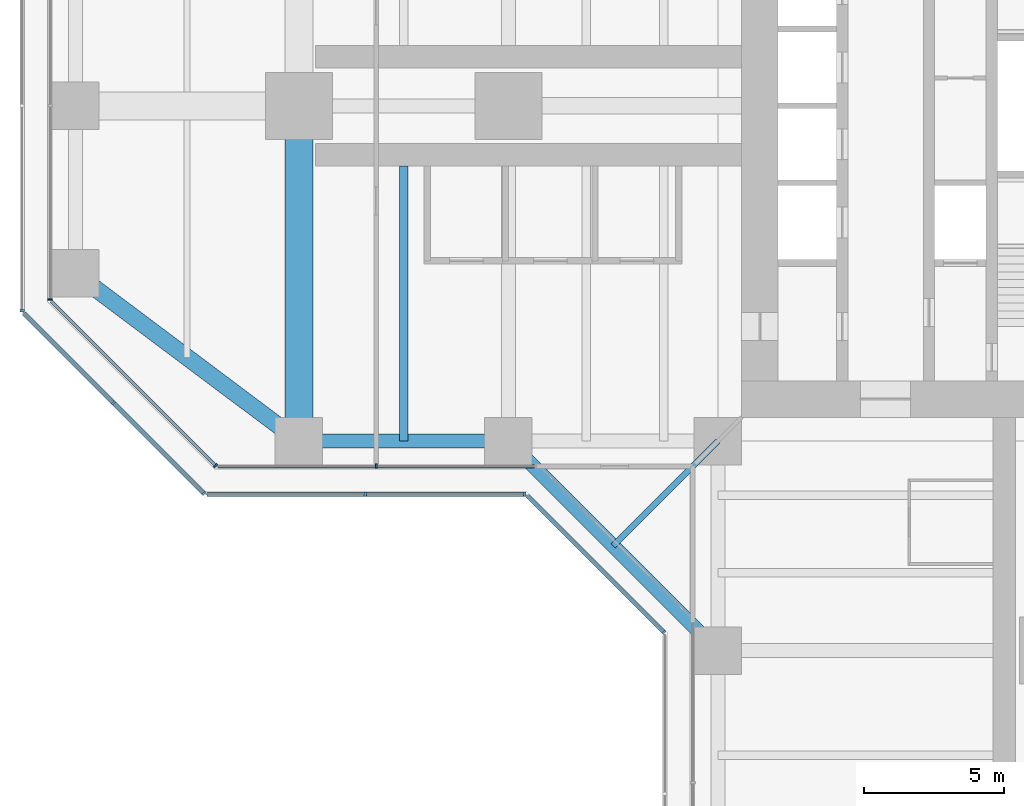
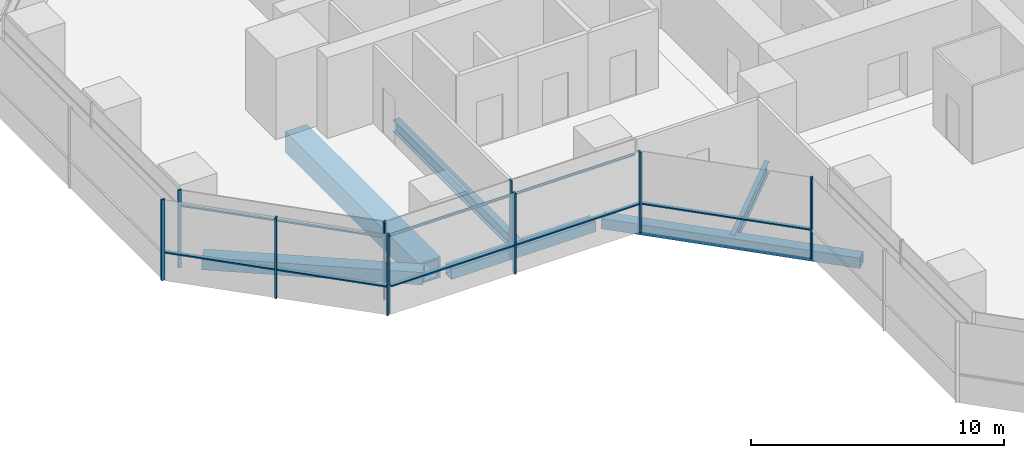
# One storey, part 3 of 22: 17 members, 6 beams, 7 elements without a shape of their own.
"""IFC4 building model written with IfcOpenShell, lengths in metres."""

from ifc_helpers import new_model, si_unit, direction, frame, origin, origin_2d, place, context, subcontext, project, spatial, rectangle, hollow_rectangle, i_section, extrude, material, material_profile, profile_set, type_object, element, aggregate, save


model = new_model("IFC4")

# Units and contexts
model_context = context("Model", 3, precision=1e-05, world=origin(), true_north=direction((0.0, 1.0)))
body_context = subcontext(model_context, "Body", "Model", "MODEL_VIEW")
ifc_project = project(units=[si_unit("LENGTHUNIT", "METRE"), si_unit("AREAUNIT", "SQUARE_METRE"), si_unit("VOLUMEUNIT", "CUBIC_METRE"), si_unit("PLANEANGLEUNIT", "RADIAN"), si_unit("MASSUNIT", "GRAM", prefix="KILO")], contexts=[model_context])

# Site, building, storey
site_placement = place(None, origin())
site = spatial("IfcSite", under=ifc_project, at=site_placement, CompositionType="ELEMENT")
building_placement = place(site_placement, origin())
building = spatial("IfcBuilding", under=site, at=building_placement, Name="Mizan Broadcast Tower", CompositionType="ELEMENT")
storey_placement = place(building_placement, frame((0.0, 0.0, 51.300048828125)))
storey = spatial("IfcBuildingStorey", under=building, at=storey_placement, Name="L09", CompositionType="ELEMENT", Elevation=51.300048828125)

# Beams
ifc_material_1 = material(Name="Steel S355", Category="steel")
ifc_material_profile_1 = material_profile(ifc_material_1, hollow_rectangle(XDim=0.5, YDim=0.5, WallThickness=0.030029296875, at=origin_2d()), Name="BOX 500x500x30")
ifc_profile_set_1 = profile_set([ifc_material_profile_1], Name="Steel S355")
beam_type_1 = type_object("IfcBeamType", Name="EDGE BEAM BOX 500x500x30", PredefinedType="SPANDREL", material=ifc_profile_set_1)
beam_1_placement = place(storey_placement, frame((-19.949951171875, -12.0, -0.380126953125), z_axis=(-1.0, 0.0, 0.0), x_axis=(0.0, -1.0, 0.0)))
element("IfcBeam", 1, at=beam_1_placement, inside=storey, type_object=beam_type_1, Name="Edge beam BOX 500x500x30 L09 west arm", PredefinedType="SPANDREL", context=body_context, shape_type="SweptSolid", body=[
    extrude(hollow_rectangle(XDim=0.5, YDim=0.5, WallThickness=0.030029296875, at=origin_2d()), origin(), (0.0, 0.0, 1.0), 6.60009765625),
])
beam_2_placement = place(storey_placement, frame((-19.5, -12.0, -0.380126953125), z_axis=(0.707106781187, -0.707106781187, 0.0), x_axis=(0.707106781187, 0.707106781187, 0.0)))
element("IfcBeam", 2, at=beam_2_placement, inside=storey, type_object=beam_type_1, Name="Winter garden edge beam L09 W", PredefinedType="SPANDREL", context=body_context, shape_type="SweptSolid", body=[
    extrude(hollow_rectangle(XDim=0.5, YDim=0.5, WallThickness=0.030029296875, at=origin_2d()), origin(), (0.0, 0.0, 1.0), 10.606689453125),
])
ifc_material_2 = material(Name="Steel S355", Category="steel")
ifc_material_profile_2 = material_profile(ifc_material_2, hollow_rectangle(XDim=0.60009765625, YDim=0.60009765625, WallThickness=0.030029296875, at=origin_2d()), Name="BOX 600x600x30")
ifc_profile_set_2 = profile_set([ifc_material_profile_2], Name="Steel S355")
beam_type_2 = type_object("IfcBeamType", Name="EDGE BEAM BOX 600x600x30", PredefinedType="SPANDREL", material=ifc_profile_set_2)
beam_3_placement = place(storey_placement, frame((-27.47998046875, -11.639892578125, -0.429931640625), z_axis=(-0.800013316712, 0.599982243973, 0.0), x_axis=(-0.599982243973, -0.800013316712, 0.0)))
element("IfcBeam", 3, at=beam_3_placement, inside=storey, type_object=beam_type_2, Name="Edge beam BOX 600x600x30 L09 west arm", PredefinedType="SPANDREL", context=body_context, shape_type="SweptSolid", body=[
    extrude(hollow_rectangle(XDim=0.60009765625, YDim=0.60009765625, WallThickness=0.030029296875, at=origin_2d()), origin(), (0.0, 0.0, 1.0), 8.7998046875),
])
ifc_material_3 = material(Name="Steel S460", Category="steel")
ifc_material_profile_3 = material_profile(ifc_material_3, hollow_rectangle(XDim=1.0, YDim=1.0, WallThickness=0.080078125, at=origin_2d()), Name="BOX 1000x1000x80")
ifc_profile_set_3 = profile_set([ifc_material_profile_3], Name="Steel S460")
beam_type_3 = type_object("IfcBeamType", Name="GIRDER BOX 1000x1000x80", PredefinedType="BEAM", material=ifc_profile_set_3)
beam_4_placement = place(storey_placement, frame((-27.0, -11.280029296875, -0.630126953125), z_axis=(0.0, 1.0, 0.0), x_axis=(-1.0, 0.0, 0.0)))
element("IfcBeam", 4, at=beam_4_placement, inside=storey, type_object=beam_type_3, Name="Girder BOX 1000x1000x80 L09 west arm", PredefinedType="BEAM", context=body_context, shape_type="SweptSolid", body=[
    extrude(hollow_rectangle(XDim=1.0, YDim=1.0, WallThickness=0.080078125, at=origin_2d()), origin(), (0.0, 0.0, 1.0), 10.56005859375),
])

# Curtain wall, member
ifc_material_4 = material(Name="Aluminium framed glazing", Category="aluminium")
curtain_wall_type_1 = type_object("IfcCurtainWallType", Name="INNER SKIN LOW ZONE", PredefinedType="USERDEFINED", material=ifc_material_4)
curtain_wall_1_placement = place(storey_placement, origin())
curtain_wall_1 = element("IfcCurtainWall", 5, at=curtain_wall_1_placement, inside=storey, type_object=curtain_wall_type_1, Name="Inner skin low zone L09 W end", ObjectType="INNER SKIN LOW ZONE", PredefinedType="USERDEFINED")
ifc_material_5 = material(Name="Aluminium, pale anodised", Category="aluminium")
ifc_material_profile_4 = material_profile(ifc_material_5, rectangle(XDim=0.159912109375, YDim=0.06005859375, at=origin_2d()), Name="MULLION 160x60")
ifc_profile_set_4 = profile_set([ifc_material_profile_4], Name="Aluminium, pale anodised")
member_type_1 = type_object("IfcMemberType", Name="INNER SKIN MULLION 60x160", PredefinedType="MULLION", material=ifc_profile_set_4)
member_1_placement = place(storey_placement, frame((-35.89990234375, -6.928466796875, 0.0), z_axis=(0.0, 0.0, 1.0), x_axis=(1.0, 0.0, 0.0)))
member_1 = element("IfcMember", 6, at=member_1_placement, type_object=member_type_1, Name="Inner skin low zone L09 W end mullion 3", PredefinedType="MULLION", context=body_context, shape_type="SweptSolid", body=[
    extrude(rectangle(XDim=0.159912109375, YDim=0.06005859375, at=origin_2d()), origin(), (0.0, 0.0, 1.0), 3.77001953125),
])
aggregate(curtain_wall_1, [member_1])

curtain_wall_2_placement = place(storey_placement, origin())
curtain_wall_2 = element("IfcCurtainWall", 7, at=curtain_wall_2_placement, inside=storey, type_object=curtain_wall_type_1, Name="Inner skin low zone L09 W chamfer", ObjectType="INNER SKIN LOW ZONE", PredefinedType="USERDEFINED")
member_2_placement = place(storey_placement, frame((-29.979736328125, -12.87890625, 0.0), z_axis=(0.0, 0.0, 1.0), x_axis=(0.707106781187, 0.707106781187, 0.0)))
member_2 = element("IfcMember", 8, at=member_2_placement, type_object=member_type_1, Name="Inner skin low zone L09 W chamfer mullion 2", PredefinedType="MULLION", context=body_context, shape_type="SweptSolid", body=[
    extrude(rectangle(XDim=0.159912109375, YDim=0.06005859375, at=origin_2d()), origin(), (0.0, 0.0, 1.0), 3.77001953125),
])

curtain_wall_3_placement = place(storey_placement, origin())
curtain_wall_3 = element("IfcCurtainWall", 9, at=curtain_wall_3_placement, inside=storey, type_object=curtain_wall_type_1, Name="Inner skin low zone L09 W side", ObjectType="INNER SKIN LOW ZONE", PredefinedType="USERDEFINED")
member_3_placement = place(storey_placement, frame((-24.229248046875, -12.89990234375, 0.0), z_axis=(0.0, 0.0, 1.0), x_axis=(0.0, 1.0, 0.0)))
member_3 = element("IfcMember", 10, at=member_3_placement, type_object=member_type_1, Name="Inner skin low zone L09 W side mullion 2", PredefinedType="MULLION", context=body_context, shape_type="SweptSolid", body=[
    extrude(rectangle(XDim=0.159912109375, YDim=0.06005859375, at=origin_2d()), origin(), (0.0, 0.0, 1.0), 3.77001953125),
])

# Member
ifc_material_6 = material(Name="Aluminium, pale anodised", Category="aluminium")
ifc_material_profile_5 = material_profile(ifc_material_6, rectangle(XDim=0.1201171875, YDim=0.06005859375, at=origin_2d()), Name="TRANSOM 120x60")
ifc_profile_set_5 = profile_set([ifc_material_profile_5], Name="Aluminium, pale anodised")
member_type_2 = type_object("IfcMemberType", Name="INNER SKIN TRANSOM 60x120", PredefinedType="USERDEFINED", material=ifc_profile_set_5)
member_4_placement = place(storey_placement, frame((-35.857666015625, -7.0009765625, 3.030029296875), z_axis=(0.707106781187, -0.707106781187, 0.0), x_axis=(0.707106781187, 0.707106781187, 0.0)))
member_4 = element("IfcMember", 11, at=member_4_placement, type_object=member_type_2, Name="Inner skin low zone L09 W chamfer transom 1.1", ObjectType="TRANSOM", PredefinedType="USERDEFINED", context=body_context, shape_type="SweptSolid", body=[
    extrude(rectangle(XDim=0.1201171875, YDim=0.06005859375, at=origin_2d()), origin(), (0.0, 0.0, 1.0), 8.28271484375),
])

aggregate(curtain_wall_2, [member_2, member_4])

member_5_placement = place(storey_placement, frame((-29.898681640625, -12.89990234375, 3.030029296875), z_axis=(1.0, 0.0, 0.0), x_axis=(0.0, 1.0, 0.0)))
member_5 = element("IfcMember", 12, at=member_5_placement, type_object=member_type_2, Name="Inner skin low zone L09 W side transom 1.1", ObjectType="TRANSOM", PredefinedType="USERDEFINED", context=body_context, shape_type="SweptSolid", body=[
    extrude(rectangle(XDim=0.1201171875, YDim=0.06005859375, at=origin_2d()), origin(), (0.0, 0.0, 1.0), 5.639404296875),
])

member_6_placement = place(storey_placement, frame((-24.19921875, -12.89990234375, 3.030029296875), z_axis=(1.0, 0.0, 0.0), x_axis=(0.0, 1.0, 0.0)))
member_6 = element("IfcMember", 13, at=member_6_placement, type_object=member_type_2, Name="Inner skin low zone L09 W side transom 2.1", ObjectType="TRANSOM", PredefinedType="USERDEFINED", context=body_context, shape_type="SweptSolid", body=[
    extrude(rectangle(XDim=0.1201171875, YDim=0.06005859375, at=origin_2d()), origin(), (0.0, 0.0, 1.0), 5.63916015625),
])

aggregate(curtain_wall_3, [member_3, member_5, member_6])

# Curtain wall, member
ifc_material_7 = material(Name="Aluminium framed glazing", Category="aluminium")
curtain_wall_type_2 = type_object("IfcCurtainWallType", Name="OUTER SKIN", PredefinedType="USERDEFINED", material=ifc_material_7)
curtain_wall_4_placement = place(storey_placement, origin())
curtain_wall_4 = element("IfcCurtainWall", 14, at=curtain_wall_4_placement, inside=storey, type_object=curtain_wall_type_2, Name="Outer skin L09 W end", ObjectType="OUTER SKIN", PredefinedType="USERDEFINED")
ifc_material_8 = material(Name="Aluminium, pale anodised", Category="aluminium")
ifc_material_profile_6 = material_profile(ifc_material_8, rectangle(XDim=0.159912109375, YDim=0.080078125, at=origin_2d()), Name="MULLION 160x80")
ifc_profile_set_6 = profile_set([ifc_material_profile_6], Name="Aluminium, pale anodised")
member_type_3 = type_object("IfcMemberType", Name="OUTER SKIN MULLION 80x160", PredefinedType="MULLION", material=ifc_profile_set_6)
member_7_placement = place(storey_placement, frame((-36.89990234375, -7.332763671875, 0.0), z_axis=(0.0, 0.0, 1.0), x_axis=(1.0, 0.0, 0.0)))
member_7 = element("IfcMember", 15, at=member_7_placement, type_object=member_type_3, Name="Outer skin L09 W end mullion 3", PredefinedType="MULLION", context=body_context, shape_type="SweptSolid", body=[
    extrude(rectangle(XDim=0.159912109375, YDim=0.080078125, at=origin_2d()), origin(), (0.0, 0.0, 1.0), 3.89990234375),
])
aggregate(curtain_wall_4, [member_7])

# Curtain wall, members
curtain_wall_5_placement = place(storey_placement, origin())
curtain_wall_5 = element("IfcCurtainWall", 16, at=curtain_wall_5_placement, inside=storey, type_object=curtain_wall_type_2, Name="Outer skin L09 W chamfer", ObjectType="OUTER SKIN", PredefinedType="USERDEFINED")
member_8_placement = place(storey_placement, frame((-33.636474609375, -10.636474609375, 0.0), z_axis=(0.0, 0.0, 1.0), x_axis=(0.707106781187, 0.707106781187, 0.0)))
member_8 = element("IfcMember", 17, at=member_8_placement, type_object=member_type_3, Name="Outer skin L09 W chamfer mullion 2", PredefinedType="MULLION", context=body_context, shape_type="SweptSolid", body=[
    extrude(rectangle(XDim=0.159912109375, YDim=0.080078125, at=origin_2d()), origin(), (0.0, 0.0, 1.0), 3.89990234375),
])
member_9_placement = place(storey_placement, frame((-30.401123046875, -13.871826171875, 0.0), z_axis=(0.0, 0.0, 1.0), x_axis=(0.707106781187, 0.707106781187, 0.0)))
member_9 = element("IfcMember", 18, at=member_9_placement, type_object=member_type_3, Name="Outer skin L09 W chamfer mullion 3", PredefinedType="MULLION", context=body_context, shape_type="SweptSolid", body=[
    extrude(rectangle(XDim=0.159912109375, YDim=0.080078125, at=origin_2d()), origin(), (0.0, 0.0, 1.0), 3.89990234375),
])

curtain_wall_6_placement = place(storey_placement, origin())
curtain_wall_6 = element("IfcCurtainWall", 19, at=curtain_wall_6_placement, inside=storey, type_object=curtain_wall_type_2, Name="Outer skin L09 W side", ObjectType="OUTER SKIN", PredefinedType="USERDEFINED")
member_10_placement = place(storey_placement, frame((-24.622802734375, -13.89990234375, 0.0), z_axis=(0.0, 0.0, 1.0), x_axis=(0.0, 1.0, 0.0)))
member_10 = element("IfcMember", 20, at=member_10_placement, type_object=member_type_3, Name="Outer skin L09 W side mullion 2", PredefinedType="MULLION", context=body_context, shape_type="SweptSolid", body=[
    extrude(rectangle(XDim=0.159912109375, YDim=0.080078125, at=origin_2d()), origin(), (0.0, 0.0, 1.0), 3.89990234375),
])
member_11_placement = place(storey_placement, frame((-18.912841796875, -13.89990234375, 0.0), z_axis=(0.0, 0.0, 1.0), x_axis=(0.0, 1.0, 0.0)))
member_11 = element("IfcMember", 21, at=member_11_placement, type_object=member_type_3, Name="Outer skin L09 W side mullion 3", PredefinedType="MULLION", context=body_context, shape_type="SweptSolid", body=[
    extrude(rectangle(XDim=0.159912109375, YDim=0.080078125, at=origin_2d()), origin(), (0.0, 0.0, 1.0), 3.89990234375),
])

# Curtain wall, member
curtain_wall_7_placement = place(storey_placement, origin())
curtain_wall_7 = element("IfcCurtainWall", 22, at=curtain_wall_7_placement, inside=storey, type_object=curtain_wall_type_2, Name="Outer skin L09 W chamfer", ObjectType="OUTER SKIN", PredefinedType="USERDEFINED")
member_12_placement = place(storey_placement, frame((-13.92822265625, -18.844482421875, 0.0), z_axis=(0.0, 0.0, 1.0), x_axis=(0.707106781187, 0.707106781187, 0.0)))
member_12 = element("IfcMember", 23, at=member_12_placement, type_object=member_type_3, Name="Outer skin L09 W chamfer mullion 2", PredefinedType="MULLION", context=body_context, shape_type="SweptSolid", body=[
    extrude(rectangle(XDim=0.159912109375, YDim=0.080078125, at=origin_2d()), origin(), (0.0, 0.0, 1.0), 3.89990234375),
])

# Member
ifc_material_9 = material(Name="Aluminium, pale anodised", Category="aluminium")
ifc_material_profile_7 = material_profile(ifc_material_9, rectangle(XDim=0.159912109375, YDim=0.06005859375, at=origin_2d()), Name="TRANSOM 160x60")
ifc_profile_set_7 = profile_set([ifc_material_profile_7], Name="Aluminium, pale anodised")
member_type_4 = type_object("IfcMemberType", Name="OUTER SKIN TRANSOM 60x160", PredefinedType="USERDEFINED", material=ifc_profile_set_7)
member_13_placement = place(storey_placement, frame((-36.843505859375, -7.429443359375, 1.39990234375), z_axis=(0.707106781187, -0.707106781187, 0.0), x_axis=(0.707106781187, 0.707106781187, 0.0)))
member_13 = element("IfcMember", 24, at=member_13_placement, type_object=member_type_4, Name="Outer skin L09 W chamfer transom 1.1", ObjectType="TRANSOM", PredefinedType="USERDEFINED", context=body_context, shape_type="SweptSolid", body=[
    extrude(rectangle(XDim=0.159912109375, YDim=0.06005859375, at=origin_2d()), origin(), (0.0, 0.0, 1.0), 4.495361328125),
])

member_14_placement = place(storey_placement, frame((-33.608154296875, -10.664794921875, 1.39990234375), z_axis=(0.707106781187, -0.707106781187, 0.0), x_axis=(0.707106781187, 0.707106781187, 0.0)))
member_14 = element("IfcMember", 25, at=member_14_placement, type_object=member_type_4, Name="Outer skin L09 W chamfer transom 2.1", ObjectType="TRANSOM", PredefinedType="USERDEFINED", context=body_context, shape_type="SweptSolid", body=[
    extrude(rectangle(XDim=0.159912109375, YDim=0.06005859375, at=origin_2d()), origin(), (0.0, 0.0, 1.0), 4.495361328125),
])

aggregate(curtain_wall_5, [member_8, member_9, member_13, member_14])

member_15_placement = place(storey_placement, frame((-30.292724609375, -13.89990234375, 1.39990234375), z_axis=(1.0, 0.0, 0.0), x_axis=(0.0, 1.0, 0.0)))
member_15 = element("IfcMember", 26, at=member_15_placement, type_object=member_type_4, Name="Outer skin L09 W side transom 1.1", ObjectType="TRANSOM", PredefinedType="USERDEFINED", context=body_context, shape_type="SweptSolid", body=[
    extrude(rectangle(XDim=0.159912109375, YDim=0.06005859375, at=origin_2d()), origin(), (0.0, 0.0, 1.0), 5.6298828125),
])

member_16_placement = place(storey_placement, frame((-24.582763671875, -13.89990234375, 1.39990234375), z_axis=(1.0, 0.0, 0.0), x_axis=(0.0, 1.0, 0.0)))
member_16 = element("IfcMember", 27, at=member_16_placement, type_object=member_type_4, Name="Outer skin L09 W side transom 2.1", ObjectType="TRANSOM", PredefinedType="USERDEFINED", context=body_context, shape_type="SweptSolid", body=[
    extrude(rectangle(XDim=0.159912109375, YDim=0.06005859375, at=origin_2d()), origin(), (0.0, 0.0, 1.0), 5.6298828125),
])

aggregate(curtain_wall_6, [member_10, member_11, member_15, member_16])

member_17_placement = place(storey_placement, frame((-18.816162109375, -13.95654296875, 1.39990234375), z_axis=(0.707106781187, -0.707106781187, 0.0), x_axis=(0.707106781187, 0.707106781187, 0.0)))
member_17 = element("IfcMember", 28, at=member_17_placement, type_object=member_type_4, Name="Outer skin L09 W chamfer transom 1.1", ObjectType="TRANSOM", PredefinedType="USERDEFINED", context=body_context, shape_type="SweptSolid", body=[
    extrude(rectangle(XDim=0.159912109375, YDim=0.06005859375, at=origin_2d()), origin(), (0.0, 0.0, 1.0), 6.87255859375),
])

aggregate(curtain_wall_7, [member_12, member_17])

# Beams
ifc_material_10 = material(Name="Steel S355", Category="steel")
ifc_material_profile_8 = material_profile(ifc_material_10, i_section(OverallWidth=0.300048828125, OverallDepth=0.590087890625, WebThickness=0.012939453125, FlangeThickness=0.02490234375, FilletRadius=0.027099609375, at=origin_2d()), Name="HEA 600")
ifc_profile_set_8 = profile_set([ifc_material_profile_8], Name="Steel S355")
beam_type_4 = type_object("IfcBeamType", Name="SECONDARY BEAM HEA 600", PredefinedType="JOIST", material=ifc_profile_set_8)
beam_5_placement = place(storey_placement, frame((-23.25, -12.0, -0.425048828125), z_axis=(0.0, 1.0, 0.0), x_axis=(-1.0, 0.0, 0.0)))
element("IfcBeam", 29, at=beam_5_placement, inside=storey, type_object=beam_type_4, Name="Secondary beam HEA 600 L09 west arm", PredefinedType="JOIST", context=body_context, shape_type="SweptSolid", body=[
    extrude(i_section(OverallWidth=0.300048828125, OverallDepth=0.590087890625, WebThickness=0.012939453125, FlangeThickness=0.02490234375, FilletRadius=0.027099609375, at=origin_2d()), origin(), (0.0, 0.0, 1.0), 9.85009765625),
])
ifc_material_11 = material(Name="Steel S355", Category="steel")
ifc_material_profile_9 = material_profile(ifc_material_11, i_section(OverallWidth=0.2099609375, OverallDepth=0.550048828125, WebThickness=0.010986328125, FlangeThickness=0.01708984375, FilletRadius=0.02392578125, at=origin_2d()), Name="IPE 550")
ifc_profile_set_9 = profile_set([ifc_material_profile_9], Name="Steel S355")
beam_type_5 = type_object("IfcBeamType", Name="SECONDARY BEAM IPE 550", PredefinedType="JOIST", material=ifc_profile_set_9)
beam_6_placement = place(storey_placement, frame((-12.0, -12.0, -0.405029296875), z_axis=(-0.707106781187, -0.707106781187, 0.0), x_axis=(0.707106781187, -0.707106781187, 0.0)))
element("IfcBeam", 30, at=beam_6_placement, inside=storey, type_object=beam_type_5, Name="Winter garden beam L09 W", PredefinedType="JOIST", context=body_context, shape_type="SweptSolid", body=[
    extrude(i_section(OverallWidth=0.2099609375, OverallDepth=0.550048828125, WebThickness=0.010986328125, FlangeThickness=0.01708984375, FilletRadius=0.02392578125, at=origin_2d()), origin(), (0.0, 0.0, 1.0), 5.30322265625),
])

save(model, "model.ifc")
